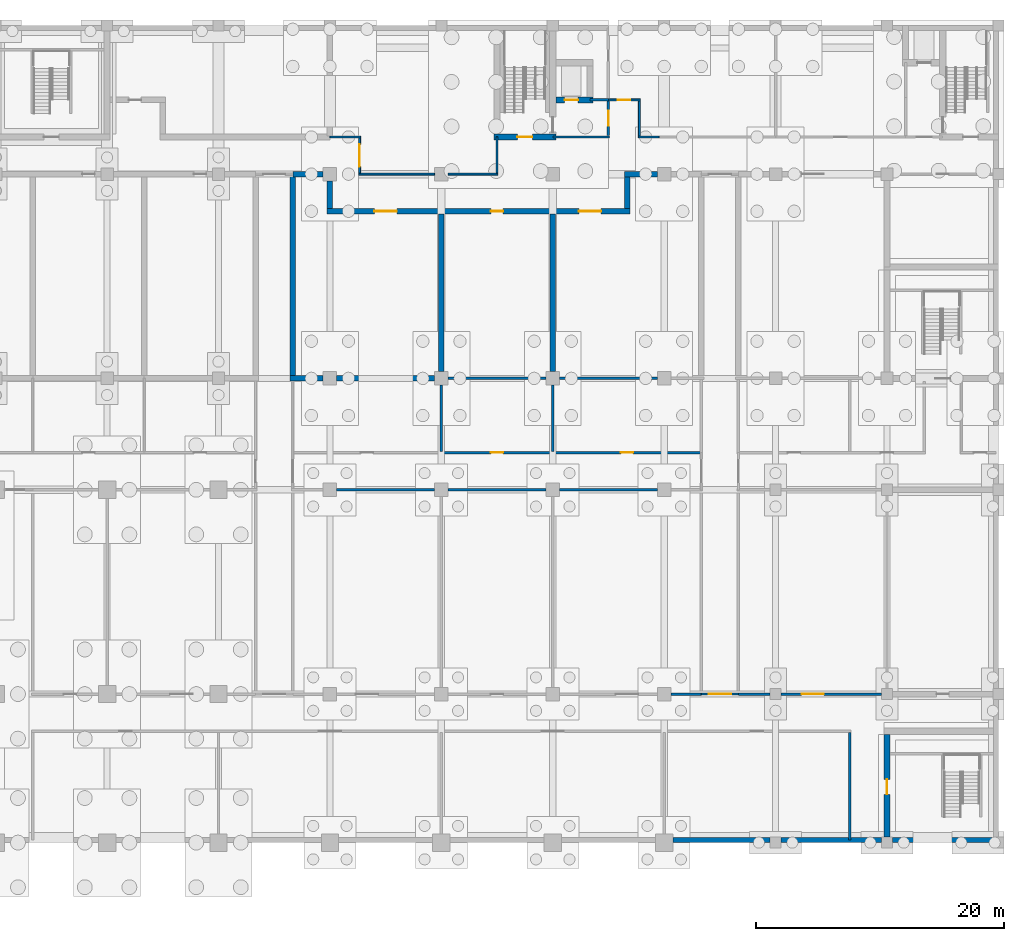
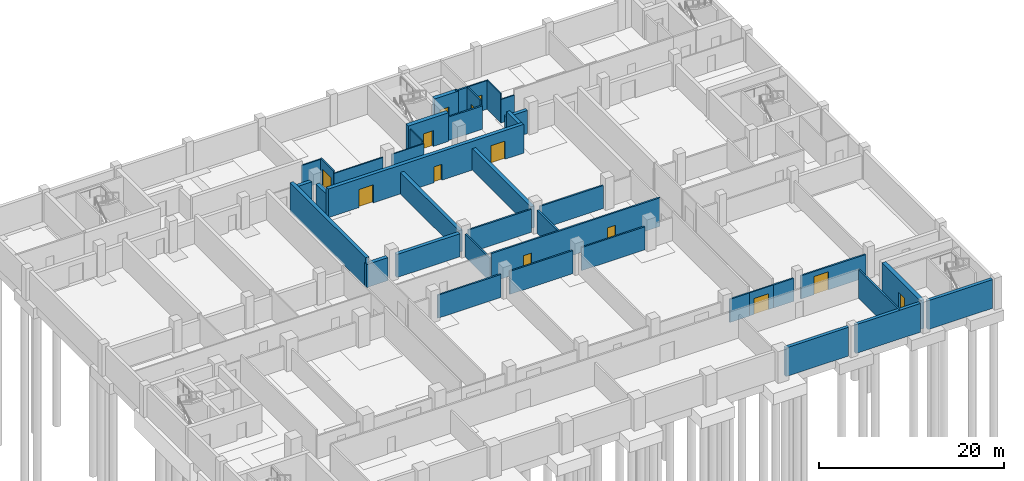
# One storey, part 7 of 15: 40 walls, 13 doors, 13 openings.
"""IFC4 building model written with IfcOpenShell, lengths in metres."""

from ifc_helpers import new_model, si_unit, direction, frame, frame_2d, origin, place, context, subcontext, project, spatial, rectangle, extrude, material, layer, layer_set, type_object, element, fill, save


model = new_model("IFC4")

# Units and contexts
model_context = context("Model", 3, precision=1e-05, world=origin(), true_north=direction((0.0, 1.0)))
body_context = subcontext(model_context, "Body", "Model", "MODEL_VIEW")
ifc_project = project(units=[si_unit("LENGTHUNIT", "METRE"), si_unit("AREAUNIT", "SQUARE_METRE"), si_unit("VOLUMEUNIT", "CUBIC_METRE"), si_unit("PLANEANGLEUNIT", "RADIAN"), si_unit("MASSUNIT", "GRAM", prefix="KILO")], contexts=[model_context])

# Site, building, storey
site_placement = place(None, origin())
site = spatial("IfcSite", under=ifc_project, at=site_placement, CompositionType="ELEMENT")
building_placement = place(site_placement, origin())
building = spatial("IfcBuilding", under=site, at=building_placement, Name="Aurelan Courthouse", CompositionType="ELEMENT")
storey_placement = place(building_placement, frame((0.0, 0.0, -8.39990234375)))
storey = spatial("IfcBuildingStorey", under=building, at=storey_placement, Name="B2", CompositionType="ELEMENT", Elevation=-8.39990234375)

# Walls
ifc_material_1 = material(Name="Reinforced concrete block", Category="concrete")
ifc_layer_1 = layer(ifc_material_1, 0.449951171875)
ifc_layer_set_1 = layer_set([ifc_layer_1], Name="Reinforced concrete block")
wall_type_1 = type_object("IfcWallType", Name="Archive fire wall 450 EI 60", PredefinedType="PARTITIONING", material=ifc_layer_set_1)
wall_1_placement = place(storey_placement, frame((32.77490234375, 37.5, 0.0), z_axis=(0.0, 0.0, 1.0), x_axis=(1.0, 0.0, 0.0)))
element("IfcWall", 1, at=wall_1_placement, inside=storey, type_object=wall_type_1, Name="Archive fire wall B2-039", PredefinedType="PARTITIONING", context=body_context, shape_type="SweptSolid", body=[
    extrude(rectangle(XDim=2.675048828125, YDim=0.449951171875, at=frame_2d((1.33740234375, 0.0))), origin(), (0.0, 0.0, 1.0), 3.0498046875),
])
wall_2_placement = place(storey_placement, frame((36.550048828125, 37.5, 0.0), z_axis=(0.0, 0.0, 1.0), x_axis=(1.0, 0.0, 0.0)))
element("IfcWall", 2, at=wall_2_placement, inside=storey, type_object=wall_type_1, Name="Archive fire wall B2-040", PredefinedType="PARTITIONING", context=body_context, shape_type="SweptSolid", body=[
    extrude(rectangle(XDim=7.89990234375, YDim=0.449951171875, at=frame_2d((3.949951171875, 0.0))), origin(), (0.0, 0.0, 1.0), 3.0498046875),
])

# Wall, openings, doors
wall_3_placement = place(storey_placement, frame((35.77490234375, 51.0, 0.0), z_axis=(0.0, 0.0, 1.0), x_axis=(1.0, 0.0, 0.0)))
wall_3 = element("IfcWall", 3, at=wall_3_placement, inside=storey, type_object=wall_type_1, Name="Archive fire wall B2-046", PredefinedType="PARTITIONING", context=body_context, shape_type="SweptSolid", body=[
    extrude(rectangle(XDim=24.4501953125, YDim=0.449951171875, at=frame_2d((12.22509765625, 0.0))), origin(), (0.0, 0.0, 1.0), 3.7998046875),
])
opening_1_placement = place(wall_3_placement, frame((5.625, 0.0, 0.0), z_axis=(0.0, 0.0, 1.0), x_axis=(-1.0, 0.0, 0.0)))
opening_1 = element("IfcOpeningElement", 4, at=opening_1_placement, cuts=wall_3, Name="Opening D-B2-031", PredefinedType="OPENING", context=body_context, shape_type="SweptSolid", body=[
    extrude(rectangle(XDim=1.800048828125, YDim=2.39990234375, at=frame_2d((0.89990234375, 1.199951171875))), frame((0.0, 0.23486328125, 0.0), z_axis=(0.0, -1.0, 0.0), x_axis=(1.0, 0.0, 0.0)), (0.0, 0.0, 1.0), 0.469970703125),
])
opening_2_placement = place(wall_3_placement, frame((14.22509765625, 0.0, 0.0), z_axis=(0.0, 0.0, 1.0), x_axis=(-1.0, 0.0, 0.0)))
opening_2 = element("IfcOpeningElement", 5, at=opening_2_placement, cuts=wall_3, Name="Opening D-B2-032", PredefinedType="OPENING", context=body_context, shape_type="SweptSolid", body=[
    extrude(rectangle(XDim=1.0, YDim=2.10009765625, at=frame_2d((0.5, 1.050048828125))), frame((0.0, 0.23486328125, 0.0), z_axis=(0.0, -1.0, 0.0), x_axis=(1.0, 0.0, 0.0)), (0.0, 0.0, 1.0), 0.469970703125),
])
opening_3_placement = place(wall_3_placement, frame((22.125, 0.0, 0.0), z_axis=(0.0, 0.0, 1.0), x_axis=(-1.0, 0.0, 0.0)))
opening_3 = element("IfcOpeningElement", 6, at=opening_3_placement, cuts=wall_3, Name="Opening D-B2-033", PredefinedType="OPENING", context=body_context, shape_type="SweptSolid", body=[
    extrude(rectangle(XDim=1.800048828125, YDim=2.39990234375, at=frame_2d((0.89990234375, 1.199951171875))), frame((0.0, 0.23486328125, 0.0), z_axis=(0.0, -1.0, 0.0), x_axis=(1.0, 0.0, 0.0)), (0.0, 0.0, 1.0), 0.469970703125),
])
ifc_material_2 = material(Name="Steel", Category="steel")
door_type_1 = type_object("IfcDoorType", Name="Double door 1800 x 2400 FD60", OperationType="DOUBLE_DOOR_SINGLE_SWING", PredefinedType="DOOR", material=ifc_material_2)
door_1_placement = place(opening_1_placement, origin())
door_1 = element("IfcDoor", 7, at=door_1_placement, inside=storey, type_object=door_type_1, Name="Double door D-B2-031", OperationType="DOUBLE_DOOR_SINGLE_SWING", OverallHeight=2.39990234375, OverallWidth=1.800048828125, PredefinedType="DOOR", context=body_context, shape_type="SweptSolid", body=[
    extrude(rectangle(XDim=1.800048828125, YDim=2.39990234375, at=frame_2d((0.89990234375, 1.199951171875))), frame((0.0, 0.02490234375, 0.0), z_axis=(0.0, -1.0, 0.0), x_axis=(1.0, 0.0, 0.0)), (0.0, 0.0, 1.0), 0.050048828125),
])
fill(opening_1, door_1)
door_2_placement = place(opening_3_placement, origin())
door_2 = element("IfcDoor", 8, at=door_2_placement, inside=storey, type_object=door_type_1, Name="Double door D-B2-033", OperationType="DOUBLE_DOOR_SINGLE_SWING", OverallHeight=2.39990234375, OverallWidth=1.800048828125, PredefinedType="DOOR", context=body_context, shape_type="SweptSolid", body=[
    extrude(rectangle(XDim=1.800048828125, YDim=2.39990234375, at=frame_2d((0.89990234375, 1.199951171875))), frame((0.0, 0.02490234375, 0.0), z_axis=(0.0, -1.0, 0.0), x_axis=(1.0, 0.0, 0.0)), (0.0, 0.0, 1.0), 0.050048828125),
])
fill(opening_3, door_2)
door_type_2 = type_object("IfcDoorType", Name="Single door 1000 x 2100 FD60", OperationType="SINGLE_SWING_LEFT", PredefinedType="DOOR", material=ifc_material_2)
door_3_placement = place(opening_2_placement, origin())
door_3 = element("IfcDoor", 9, at=door_3_placement, inside=storey, type_object=door_type_2, Name="Single door D-B2-032", OperationType="SINGLE_SWING_RIGHT", OverallHeight=2.10009765625, OverallWidth=1.0, PredefinedType="DOOR", context=body_context, shape_type="SweptSolid", body=[
    extrude(rectangle(XDim=1.0, YDim=2.10009765625, at=frame_2d((0.5, 1.050048828125))), frame((0.0, 0.02490234375, 0.0), z_axis=(0.0, -1.0, 0.0), x_axis=(1.0, 0.0, 0.0)), (0.0, 0.0, 1.0), 0.050048828125),
])
fill(opening_2, door_3)

# Walls
wall_4_placement = place(storey_placement, frame((33.0, 54.0, 0.0), z_axis=(0.0, 0.0, 1.0), x_axis=(1.0, 0.0, 0.0)))
element("IfcWall", 10, at=wall_4_placement, inside=storey, type_object=wall_type_1, Name="Archive fire wall B2-052", PredefinedType="PARTITIONING", context=body_context, shape_type="SweptSolid", body=[
    extrude(rectangle(XDim=2.449951171875, YDim=0.449951171875, at=frame_2d((1.22509765625, 0.0))), origin(), (0.0, 0.0, 1.0), 3.0498046875),
])
wall_5_placement = place(storey_placement, frame((59.77490234375, 54.0, 0.0), z_axis=(0.0, 0.0, 1.0), x_axis=(1.0, 0.0, 0.0)))
element("IfcWall", 11, at=wall_5_placement, inside=storey, type_object=wall_type_1, Name="Archive fire wall B2-055", PredefinedType="PARTITIONING", context=body_context, shape_type="SweptSolid", body=[
    extrude(rectangle(XDim=2.675048828125, YDim=0.449951171875, at=frame_2d((1.33740234375, 0.0))), origin(), (0.0, 0.0, 1.0), 3.0498046875),
])
wall_6_placement = place(storey_placement, frame((33.0, 37.5, 0.0), z_axis=(0.0, 0.0, 1.0), x_axis=(0.0, 1.0, 0.0)))
element("IfcWall", 12, at=wall_6_placement, inside=storey, type_object=wall_type_1, Name="Archive fire wall B2-085", PredefinedType="PARTITIONING", context=body_context, shape_type="SweptSolid", body=[
    extrude(rectangle(XDim=16.425048828125, YDim=0.449951171875, at=frame_2d((8.21240234375, 0.0))), origin(), (0.0, 0.0, 1.0), 3.7998046875),
])
wall_7_placement = place(storey_placement, frame((36.0, 51.22509765625, 0.0), z_axis=(0.0, 0.0, 1.0), x_axis=(0.0, 1.0, 0.0)))
element("IfcWall", 13, at=wall_7_placement, inside=storey, type_object=wall_type_1, Name="Archive fire wall B2-086", PredefinedType="PARTITIONING", context=body_context, shape_type="SweptSolid", body=[
    extrude(rectangle(XDim=2.224853515625, YDim=0.449951171875, at=frame_2d((1.1123046875, 0.0))), origin(), (0.0, 0.0, 1.0), 2.849853515625),
])
for number, where, z_axis, x_axis, name in (
    (14, (45.0, 38.050048828125, 0.0), (0.0, 0.0, 1.0), (0.0, 1.0, 0.0), "Archive fire wall B2-092"),
    (15, (54.0, 38.050048828125, 0.0), (0.0, 0.0, 1.0), (0.0, 1.0, 0.0), "Archive fire wall B2-096"),
):
    element("IfcWall", number, at=place(storey_placement, frame(where, z_axis=z_axis, x_axis=x_axis)), inside=storey, type_object=wall_type_1, Name=name, PredefinedType="PARTITIONING", context=body_context, shape_type="SweptSolid", body=[
        extrude(rectangle(XDim=12.724853515625, YDim=0.449951171875, at=frame_2d((6.3623046875, 0.0))), origin(), (0.0, 0.0, 1.0), 2.849853515625),
    ])
wall_8_placement = place(storey_placement, frame((60.0, 51.22509765625, 0.0), z_axis=(0.0, 0.0, 1.0), x_axis=(0.0, 1.0, 0.0)))
element("IfcWall", 16, at=wall_8_placement, inside=storey, type_object=wall_type_1, Name="Archive fire wall B2-099", PredefinedType="PARTITIONING", context=body_context, shape_type="SweptSolid", body=[
    extrude(rectangle(XDim=2.5498046875, YDim=0.449951171875, at=frame_2d((1.27490234375, 0.0))), origin(), (0.0, 0.0, 1.0), 3.7998046875),
])

# Wall, opening, door
ifc_material_3 = material(Name="Gypsum board on metal studs")
ifc_layer_2 = layer(ifc_material_3, 0.14990234375)
ifc_layer_set_2 = layer_set([ifc_layer_2], Name="Gypsum board on metal studs")
wall_type_2 = type_object("IfcWallType", Name="Corridor partition 150 EI 60", PredefinedType="PARTITIONING", material=ifc_layer_set_2)
wall_9_placement = place(storey_placement, frame((66.0, 12.0, 0.0), z_axis=(0.0, 0.0, 1.0), x_axis=(1.0, 0.0, 0.0)))
wall_9 = element("IfcWall", 17, at=wall_9_placement, inside=storey, type_object=wall_type_2, Name="Corridor partition B2-011", PredefinedType="PARTITIONING", context=body_context, shape_type="SweptSolid", body=[
    extrude(rectangle(XDim=3.0, YDim=0.14990234375, at=frame_2d((1.5, 0.0))), origin(), (0.0, 0.0, 1.0), 3.0498046875),
])
opening_4_placement = place(wall_9_placement, frame((0.60009765625, 0.0, 0.0)))
opening_4 = element("IfcOpeningElement", 18, at=opening_4_placement, cuts=wall_9, Name="Opening D-B2-003", PredefinedType="OPENING", context=body_context, shape_type="SweptSolid", body=[
    extrude(rectangle(XDim=1.800048828125, YDim=2.10009765625, at=frame_2d((0.89990234375, 1.050048828125))), frame((0.0, 0.0849609375, 0.0), z_axis=(0.0, -1.0, 0.0), x_axis=(1.0, 0.0, 0.0)), (0.0, 0.0, 1.0), 0.169921875),
])
door_type_3 = type_object("IfcDoorType", Name="Double door 1800 x 2100 FD60", OperationType="DOUBLE_DOOR_SINGLE_SWING", PredefinedType="DOOR", material=ifc_material_2)
door_4_placement = place(opening_4_placement, origin())
door_4 = element("IfcDoor", 19, at=door_4_placement, inside=storey, type_object=door_type_3, Name="Double door D-B2-003", OperationType="DOUBLE_DOOR_SINGLE_SWING", OverallHeight=2.10009765625, OverallWidth=1.800048828125, PredefinedType="DOOR", context=body_context, shape_type="SweptSolid", body=[
    extrude(rectangle(XDim=1.800048828125, YDim=2.10009765625, at=frame_2d((0.89990234375, 1.050048828125))), frame((0.0, 0.02490234375, 0.0), z_axis=(0.0, -1.0, 0.0), x_axis=(1.0, 0.0, 0.0)), (0.0, 0.0, 1.0), 0.050048828125),
])
fill(opening_4, door_4)

# Walls
wall_10_placement = place(storey_placement, frame((38.324951171875, 54.0, 0.0), z_axis=(0.0, 0.0, 1.0), x_axis=(1.0, 0.0, 0.0)))
element("IfcWall", 20, at=wall_10_placement, inside=storey, type_object=wall_type_2, Name="Corridor partition B2-053", PredefinedType="PARTITIONING", context=body_context, shape_type="SweptSolid", body=[
    extrude(rectangle(XDim=6.125, YDim=0.14990234375, at=frame_2d((3.0625, 0.0))), origin(), (0.0, 0.0, 1.0), 3.0498046875),
])
wall_11_placement = place(storey_placement, frame((45.550048828125, 54.0, 0.0), z_axis=(0.0, 0.0, 1.0), x_axis=(1.0, 0.0, 0.0)))
element("IfcWall", 21, at=wall_11_placement, inside=storey, type_object=wall_type_2, Name="Corridor partition B2-054", PredefinedType="PARTITIONING", context=body_context, shape_type="SweptSolid", body=[
    extrude(rectangle(XDim=4.02490234375, YDim=0.14990234375, at=frame_2d((2.012451171875, 0.0))), origin(), (0.0, 0.0, 1.0), 3.0498046875),
])
wall_12_placement = place(storey_placement, frame((36.0, 57.0, 0.0), z_axis=(0.0, 0.0, 1.0), x_axis=(1.0, 0.0, 0.0)))
element("IfcWall", 22, at=wall_12_placement, inside=storey, type_object=wall_type_2, Name="Corridor partition B2-063", PredefinedType="PARTITIONING", context=body_context, shape_type="SweptSolid", body=[
    extrude(rectangle(XDim=2.47509765625, YDim=0.14990234375, at=frame_2d((1.237548828125, 0.0))), origin(), (0.0, 0.0, 1.0), 3.099853515625),
])
wall_13_placement = place(storey_placement, frame((60.925048828125, 57.0, 0.0), z_axis=(0.0, 0.0, 1.0), x_axis=(1.0, 0.0, 0.0)))
element("IfcWall", 23, at=wall_13_placement, inside=storey, type_object=wall_type_2, Name="Corridor partition B2-065", PredefinedType="PARTITIONING", context=body_context, shape_type="SweptSolid", body=[
    extrude(rectangle(XDim=1.675048828125, YDim=0.14990234375, at=frame_2d((0.83740234375, 0.0))), origin(), (0.0, 0.0, 1.0), 3.099853515625),
])

# Wall, opening, door
wall_14_placement = place(storey_placement, frame((58.5, 60.0, 0.0), z_axis=(0.0, 0.0, 1.0), x_axis=(1.0, 0.0, 0.0)))
wall_14 = element("IfcWall", 24, at=wall_14_placement, inside=storey, type_object=wall_type_2, Name="Corridor partition B2-070", PredefinedType="PARTITIONING", context=body_context, shape_type="SweptSolid", body=[
    extrude(rectangle(XDim=2.574951171875, YDim=0.14990234375, at=frame_2d((1.28759765625, 0.0))), origin(), (0.0, 0.0, 1.0), 3.7998046875),
])
opening_5_placement = place(wall_14_placement, frame((0.75, 0.0, 0.0)))
opening_5 = element("IfcOpeningElement", 25, at=opening_5_placement, cuts=wall_14, Name="Opening D-B2-026", PredefinedType="OPENING", context=body_context, shape_type="SweptSolid", body=[
    extrude(rectangle(XDim=1.0, YDim=2.10009765625, at=frame_2d((0.5, 1.050048828125))), frame((0.0, 0.0849609375, 0.0), z_axis=(0.0, -1.0, 0.0), x_axis=(1.0, 0.0, 0.0)), (0.0, 0.0, 1.0), 0.169921875),
])
door_5_placement = place(opening_5_placement, origin())
door_5 = element("IfcDoor", 26, at=door_5_placement, inside=storey, type_object=door_type_2, Name="Single door D-B2-026", OperationType="SINGLE_SWING_LEFT", OverallHeight=2.10009765625, OverallWidth=1.0, PredefinedType="DOOR", context=body_context, shape_type="SweptSolid", body=[
    extrude(rectangle(XDim=1.0, YDim=2.10009765625, at=frame_2d((0.5, 1.050048828125))), frame((0.0, 0.02490234375, 0.0), z_axis=(0.0, -1.0, 0.0), x_axis=(1.0, 0.0, 0.0)), (0.0, 0.0, 1.0), 0.050048828125),
])
fill(opening_5, door_5)

wall_15_placement = place(storey_placement, frame((38.39990234375, 54.074951171875, 0.0), z_axis=(0.0, 0.0, 1.0), x_axis=(0.0, 1.0, 0.0)))
wall_15 = element("IfcWall", 27, at=wall_15_placement, inside=storey, type_object=wall_type_2, Name="Corridor partition B2-088", PredefinedType="PARTITIONING", context=body_context, shape_type="SweptSolid", body=[
    extrude(rectangle(XDim=2.85009765625, YDim=0.14990234375, at=frame_2d((1.425048828125, 0.0))), origin(), (0.0, 0.0, 1.0), 3.2998046875),
])
opening_6_placement = place(wall_15_placement, frame((2.324951171875, 0.0, 0.0), z_axis=(0.0, 0.0, 1.0), x_axis=(-1.0, 0.0, 0.0)))
opening_6 = element("IfcOpeningElement", 28, at=opening_6_placement, cuts=wall_15, Name="Opening D-B2-025", PredefinedType="OPENING", context=body_context, shape_type="SweptSolid", body=[
    extrude(rectangle(XDim=1.800048828125, YDim=2.10009765625, at=frame_2d((0.89990234375, 1.050048828125))), frame((0.0, 0.0849609375, 0.0), z_axis=(0.0, -1.0, 0.0), x_axis=(1.0, 0.0, 0.0)), (0.0, 0.0, 1.0), 0.169921875),
])
door_6_placement = place(opening_6_placement, origin())
door_6 = element("IfcDoor", 29, at=door_6_placement, inside=storey, type_object=door_type_3, Name="Double door D-B2-025", OperationType="DOUBLE_DOOR_SINGLE_SWING", OverallHeight=2.10009765625, OverallWidth=1.800048828125, PredefinedType="DOOR", context=body_context, shape_type="SweptSolid", body=[
    extrude(rectangle(XDim=1.800048828125, YDim=2.10009765625, at=frame_2d((0.89990234375, 1.050048828125))), frame((0.0, 0.02490234375, 0.0), z_axis=(0.0, -1.0, 0.0), x_axis=(1.0, 0.0, 0.0)), (0.0, 0.0, 1.0), 0.050048828125),
])
fill(opening_6, door_6)

# Walls
wall_16_placement = place(storey_placement, frame((49.5, 54.074951171875, 0.0), z_axis=(0.0, 0.0, 1.0), x_axis=(0.0, 1.0, 0.0)))
element("IfcWall", 30, at=wall_16_placement, inside=storey, type_object=wall_type_2, Name="Corridor partition B2-093", PredefinedType="PARTITIONING", context=body_context, shape_type="SweptSolid", body=[
    extrude(rectangle(XDim=2.925048828125, YDim=0.14990234375, at=frame_2d((1.46240234375, 0.0))), origin(), (0.0, 0.0, 1.0), 3.2998046875),
])
wall_17_placement = place(storey_placement, frame((61.0, 57.074951171875, 0.0), z_axis=(0.0, 0.0, 1.0), x_axis=(0.0, 1.0, 0.0)))
element("IfcWall", 31, at=wall_17_placement, inside=storey, type_object=wall_type_2, Name="Corridor partition B2-100", PredefinedType="PARTITIONING", context=body_context, shape_type="SweptSolid", body=[
    extrude(rectangle(XDim=2.85009765625, YDim=0.14990234375, at=frame_2d((1.425048828125, 0.0))), origin(), (0.0, 0.0, 1.0), 3.7998046875),
])
ifc_material_4 = material(Name="Masonry block", Category="masonry")
ifc_layer_3 = layer(ifc_material_4, 0.199951171875)
ifc_layer_set_3 = layer_set([ifc_layer_3], Name="Masonry block")
wall_type_3 = type_object("IfcWallType", Name="Lift lobby wall 200 EI 60", PredefinedType="PARTITIONING", material=ifc_layer_set_3)
wall_18_placement = place(storey_placement, frame((54.0, 57.0, 0.0), z_axis=(0.0, 0.0, 1.0), x_axis=(1.0, 0.0, 0.0)))
element("IfcWall", 32, at=wall_18_placement, inside=storey, type_object=wall_type_3, Name="Lift lobby wall B2-064", PredefinedType="PARTITIONING", context=body_context, shape_type="SweptSolid", body=[
    extrude(rectangle(XDim=4.60009765625, YDim=0.199951171875, at=frame_2d((2.300048828125, 0.0))), origin(), (0.0, 0.0, 1.0), 3.099853515625),
])

# Wall, opening, door
wall_19_placement = place(storey_placement, frame((58.5, 57.10009765625, 0.0), z_axis=(0.0, 0.0, 1.0), x_axis=(0.0, 1.0, 0.0)))
wall_19 = element("IfcWall", 33, at=wall_19_placement, inside=storey, type_object=wall_type_3, Name="Lift lobby wall B2-097", PredefinedType="PARTITIONING", context=body_context, shape_type="SweptSolid", body=[
    extrude(rectangle(XDim=2.89990234375, YDim=0.199951171875, at=frame_2d((1.449951171875, 0.0))), origin(), (0.0, 0.0, 1.0), 3.7998046875),
])
opening_7_placement = place(wall_19_placement, frame((2.0, 0.0, 0.0), z_axis=(0.0, 0.0, 1.0), x_axis=(-1.0, 0.0, 0.0)))
opening_7 = element("IfcOpeningElement", 34, at=opening_7_placement, cuts=wall_19, Name="Opening D-B2-055", PredefinedType="OPENING", context=body_context, shape_type="SweptSolid", body=[
    extrude(rectangle(XDim=1.199951171875, YDim=2.10009765625, at=frame_2d((0.60009765625, 1.050048828125))), frame((0.0, 0.10986328125, 0.0), z_axis=(0.0, -1.0, 0.0), x_axis=(1.0, 0.0, 0.0)), (0.0, 0.0, 1.0), 0.219970703125),
])
door_type_4 = type_object("IfcDoorType", Name="Single door 1200 x 2100 FD60", OperationType="SINGLE_SWING_LEFT", PredefinedType="DOOR", material=ifc_material_2)
door_7_placement = place(opening_7_placement, origin())
door_7 = element("IfcDoor", 35, at=door_7_placement, inside=storey, type_object=door_type_4, Name="Single door D-B2-055", OperationType="SINGLE_SWING_LEFT", OverallHeight=2.10009765625, OverallWidth=1.199951171875, PredefinedType="DOOR", context=body_context, shape_type="SweptSolid", body=[
    extrude(rectangle(XDim=1.199951171875, YDim=2.10009765625, at=frame_2d((0.60009765625, 1.050048828125))), frame((0.0, 0.02490234375, 0.0), z_axis=(0.0, -1.0, 0.0), x_axis=(1.0, 0.0, 0.0)), (0.0, 0.0, 1.0), 0.050048828125),
])
fill(opening_7, door_7)

# Walls
ifc_layer_4 = layer(ifc_material_4, 0.199951171875)
ifc_layer_set_4 = layer_set([ifc_layer_4], Name="Masonry block")
wall_type_4 = type_object("IfcWallType", Name="Plant room wall 200 EI 120", PredefinedType="PARTITIONING", material=ifc_layer_set_4)
wall_20_placement = place(storey_placement, frame((63.550048828125, 12.0, 0.0), z_axis=(0.0, 0.0, 1.0), x_axis=(1.0, 0.0, 0.0)))
element("IfcWall", 36, at=wall_20_placement, inside=storey, type_object=wall_type_4, Name="Plant room wall B2-010", PredefinedType="PARTITIONING", context=body_context, shape_type="SweptSolid", body=[
    extrude(rectangle(XDim=2.449951171875, YDim=0.199951171875, at=frame_2d((1.22509765625, 0.0))), origin(), (0.0, 0.0, 1.0), 3.0498046875),
])
wall_21_placement = place(storey_placement, frame((69.0, 12.0, 0.0), z_axis=(0.0, 0.0, 1.0), x_axis=(1.0, 0.0, 0.0)))
element("IfcWall", 37, at=wall_21_placement, inside=storey, type_object=wall_type_4, Name="Plant room wall B2-012", PredefinedType="PARTITIONING", context=body_context, shape_type="SweptSolid", body=[
    extrude(rectangle(XDim=2.550048828125, YDim=0.199951171875, at=frame_2d((1.27490234375, 0.0))), origin(), (0.0, 0.0, 1.0), 3.0498046875),
])

# Wall, opening, door
wall_22_placement = place(storey_placement, frame((72.449951171875, 12.0, 0.0), z_axis=(0.0, 0.0, 1.0), x_axis=(1.0, 0.0, 0.0)))
wall_22 = element("IfcWall", 38, at=wall_22_placement, inside=storey, type_object=wall_type_4, Name="Plant room wall B2-013", PredefinedType="PARTITIONING", context=body_context, shape_type="SweptSolid", body=[
    extrude(rectangle(XDim=8.10009765625, YDim=0.199951171875, at=frame_2d((4.050048828125, 0.0))), origin(), (0.0, 0.0, 1.0), 3.0498046875),
])
opening_8_placement = place(wall_22_placement, frame((1.64990234375, 0.0, 0.0)))
opening_8 = element("IfcOpeningElement", 39, at=opening_8_placement, cuts=wall_22, Name="Opening D-B2-010", PredefinedType="OPENING", context=body_context, shape_type="SweptSolid", body=[
    extrude(rectangle(XDim=1.800048828125, YDim=2.39990234375, at=frame_2d((0.89990234375, 1.199951171875))), frame((0.0, 0.10986328125, 0.0), z_axis=(0.0, -1.0, 0.0), x_axis=(1.0, 0.0, 0.0)), (0.0, 0.0, 1.0), 0.219970703125),
])
door_type_5 = type_object("IfcDoorType", Name="Double door 1800 x 2400 FD90", OperationType="DOUBLE_DOOR_SINGLE_SWING", PredefinedType="DOOR", material=ifc_material_2)
door_8_placement = place(opening_8_placement, origin())
door_8 = element("IfcDoor", 40, at=door_8_placement, inside=storey, type_object=door_type_5, Name="Double door D-B2-010", OperationType="DOUBLE_DOOR_SINGLE_SWING", OverallHeight=2.39990234375, OverallWidth=1.800048828125, PredefinedType="DOOR", context=body_context, shape_type="SweptSolid", body=[
    extrude(rectangle(XDim=1.800048828125, YDim=2.39990234375, at=frame_2d((0.89990234375, 1.199951171875))), frame((0.0, 0.02490234375, 0.0), z_axis=(0.0, -1.0, 0.0), x_axis=(1.0, 0.0, 0.0)), (0.0, 0.0, 1.0), 0.050048828125),
])
fill(opening_8, door_8)

# Walls
for number, where, z_axis, x_axis, name in (
    (41, (36.550048828125, 28.5, 0.0), (0.0, 0.0, 1.0), (1.0, 0.0, 0.0), "Plant room wall B2-021"),
    (42, (45.550048828125, 28.5, 0.0), (0.0, 0.0, 1.0), (1.0, 0.0, 0.0), "Plant room wall B2-022"),
    (43, (54.550048828125, 28.5, 0.0), (0.0, 0.0, 1.0), (1.0, 0.0, 0.0), "Plant room wall B2-023"),
):
    element("IfcWall", number, at=place(storey_placement, frame(where, z_axis=z_axis, x_axis=x_axis)), inside=storey, type_object=wall_type_4, Name=name, PredefinedType="PARTITIONING", context=body_context, shape_type="SweptSolid", body=[
        extrude(rectangle(XDim=7.89990234375, YDim=0.199951171875, at=frame_2d((3.949951171875, 0.0))), origin(), (0.0, 0.0, 1.0), 3.0498046875),
    ])

# Wall, openings, doors
wall_23_placement = place(storey_placement, frame((45.0, 31.5, 0.0), z_axis=(0.0, 0.0, 1.0), x_axis=(1.0, 0.0, 0.0)))
wall_23 = element("IfcWall", 44, at=wall_23_placement, inside=storey, type_object=wall_type_4, Name="Plant room wall B2-030", PredefinedType="PARTITIONING", context=body_context, shape_type="SweptSolid", body=[
    extrude(rectangle(XDim=21.10009765625, YDim=0.199951171875, at=frame_2d((10.550048828125, 0.0))), origin(), (0.0, 0.0, 1.0), 3.7998046875),
])
opening_9_placement = place(wall_23_placement, frame((4.0, 0.0, 0.0)))
opening_9 = element("IfcOpeningElement", 45, at=opening_9_placement, cuts=wall_23, Name="Opening D-B2-019", PredefinedType="OPENING", context=body_context, shape_type="SweptSolid", body=[
    extrude(rectangle(XDim=1.0, YDim=2.10009765625, at=frame_2d((0.5, 1.050048828125))), frame((0.0, 0.10986328125, 0.0), z_axis=(0.0, -1.0, 0.0), x_axis=(1.0, 0.0, 0.0)), (0.0, 0.0, 1.0), 0.219970703125),
])
opening_10_placement = place(wall_23_placement, frame((14.5, 0.0, 0.0)))
opening_10 = element("IfcOpeningElement", 46, at=opening_10_placement, cuts=wall_23, Name="Opening D-B2-020", PredefinedType="OPENING", context=body_context, shape_type="SweptSolid", body=[
    extrude(rectangle(XDim=1.0, YDim=2.10009765625, at=frame_2d((0.5, 1.050048828125))), frame((0.0, 0.10986328125, 0.0), z_axis=(0.0, -1.0, 0.0), x_axis=(1.0, 0.0, 0.0)), (0.0, 0.0, 1.0), 0.219970703125),
])
door_type_6 = type_object("IfcDoorType", Name="Single door 1000 x 2100 FD90", OperationType="SINGLE_SWING_LEFT", PredefinedType="DOOR", material=ifc_material_2)
door_9_placement = place(opening_9_placement, origin())
door_9 = element("IfcDoor", 47, at=door_9_placement, inside=storey, type_object=door_type_6, Name="Single door D-B2-019", OperationType="SINGLE_SWING_RIGHT", OverallHeight=2.10009765625, OverallWidth=1.0, PredefinedType="DOOR", context=body_context, shape_type="SweptSolid", body=[
    extrude(rectangle(XDim=1.0, YDim=2.10009765625, at=frame_2d((0.5, 1.050048828125))), frame((0.0, 0.02490234375, 0.0), z_axis=(0.0, -1.0, 0.0), x_axis=(1.0, 0.0, 0.0)), (0.0, 0.0, 1.0), 0.050048828125),
])
fill(opening_9, door_9)
door_10_placement = place(opening_10_placement, origin())
door_10 = element("IfcDoor", 48, at=door_10_placement, inside=storey, type_object=door_type_6, Name="Single door D-B2-020", OperationType="SINGLE_SWING_LEFT", OverallHeight=2.10009765625, OverallWidth=1.0, PredefinedType="DOOR", context=body_context, shape_type="SweptSolid", body=[
    extrude(rectangle(XDim=1.0, YDim=2.10009765625, at=frame_2d((0.5, 1.050048828125))), frame((0.0, 0.02490234375, 0.0), z_axis=(0.0, -1.0, 0.0), x_axis=(1.0, 0.0, 0.0)), (0.0, 0.0, 1.0), 0.050048828125),
])
fill(opening_10, door_10)

# Walls
for number, where, z_axis, x_axis, name in (
    (49, (45.550048828125, 37.5, 0.0), (0.0, 0.0, 1.0), (1.0, 0.0, 0.0), "Plant room wall B2-041"),
    (50, (54.550048828125, 37.5, 0.0), (0.0, 0.0, 1.0), (1.0, 0.0, 0.0), "Plant room wall B2-042"),
):
    element("IfcWall", number, at=place(storey_placement, frame(where, z_axis=z_axis, x_axis=x_axis)), inside=storey, type_object=wall_type_4, Name=name, PredefinedType="PARTITIONING", context=body_context, shape_type="SweptSolid", body=[
        extrude(rectangle(XDim=7.89990234375, YDim=0.199951171875, at=frame_2d((3.949951171875, 0.0))), origin(), (0.0, 0.0, 1.0), 3.0498046875),
    ])
wall_24_placement = place(storey_placement, frame((45.0, 31.574951171875, 0.0), z_axis=(0.0, 0.0, 1.0), x_axis=(0.0, 1.0, 0.0)))
element("IfcWall", 51, at=wall_24_placement, inside=storey, type_object=wall_type_4, Name="Plant room wall B2-091", PredefinedType="PARTITIONING", context=body_context, shape_type="SweptSolid", body=[
    extrude(rectangle(XDim=5.375, YDim=0.199951171875, at=frame_2d((2.6875, 0.0))), origin(), (0.0, 0.0, 1.0), 3.0498046875),
])
wall_25_placement = place(storey_placement, frame((54.0, 31.60009765625, 0.0), z_axis=(0.0, 0.0, 1.0), x_axis=(0.0, 1.0, 0.0)))
element("IfcWall", 52, at=wall_25_placement, inside=storey, type_object=wall_type_4, Name="Plant room wall B2-095", PredefinedType="PARTITIONING", context=body_context, shape_type="SweptSolid", body=[
    extrude(rectangle(XDim=5.349853515625, YDim=0.199951171875, at=frame_2d((2.6748046875, 0.0))), origin(), (0.0, 0.0, 1.0), 3.0498046875),
])
wall_26_placement = place(storey_placement, frame((78.0, 0.199951171875, 0.0), z_axis=(0.0, 0.0, 1.0), x_axis=(0.0, 1.0, 0.0)))
element("IfcWall", 53, at=wall_26_placement, inside=storey, type_object=wall_type_4, Name="Plant room wall B2-111", PredefinedType="PARTITIONING", context=body_context, shape_type="SweptSolid", body=[
    extrude(rectangle(XDim=8.699951171875, YDim=0.199951171875, at=frame_2d((4.35009765625, 0.0))), origin(), (0.0, 0.0, 1.0), 3.7998046875),
])
ifc_material_5 = material(Name="Concrete C50", Category="concrete")
ifc_layer_5 = layer(ifc_material_5, 0.39990234375)
ifc_layer_set_5 = layer_set([ifc_layer_5], Name="Concrete C50")
wall_type_5 = type_object("IfcWallType", Name="RC retaining wall 400", PredefinedType="SOLIDWALL", material=ifc_layer_set_5)
wall_27_placement = place(storey_placement, frame((63.699951171875, 0.199951171875, 0.0), z_axis=(0.0, 0.0, 1.0), x_axis=(1.0, 0.0, 0.0)))
element("IfcWall", 54, at=wall_27_placement, inside=storey, type_object=wall_type_5, Name="Retaining wall SW-B2-008", PredefinedType="SOLIDWALL", context=body_context, shape_type="SweptSolid", body=[
    extrude(rectangle(XDim=7.85009765625, YDim=0.39990234375, at=frame_2d((3.925048828125, 0.0))), origin(), (0.0, 0.0, 1.0), 3.7998046875),
])
for number, where, z_axis, x_axis, name in (
    (55, (72.449951171875, 0.199951171875, 0.0), (0.0, 0.0, 1.0), (1.0, 0.0, 0.0), "Retaining wall SW-B2-009"),
    (56, (81.449951171875, 0.199951171875, 0.0), (0.0, 0.0, 1.0), (1.0, 0.0, 0.0), "Retaining wall SW-B2-010"),
):
    element("IfcWall", number, at=place(storey_placement, frame(where, z_axis=z_axis, x_axis=x_axis)), inside=storey, type_object=wall_type_5, Name=name, PredefinedType="SOLIDWALL", context=body_context, shape_type="SweptSolid", body=[
        extrude(rectangle(XDim=8.10009765625, YDim=0.39990234375, at=frame_2d((4.050048828125, 0.0))), origin(), (0.0, 0.0, 1.0), 3.7998046875),
    ])

# Wall, opening, door
ifc_layer_6 = layer(ifc_material_5, 0.5)
ifc_layer_set_6 = layer_set([ifc_layer_6], Name="Concrete C50")
wall_type_6 = type_object("IfcWallType", Name="RC shear wall 500", PredefinedType="SHEAR", material=ifc_layer_set_6)
wall_28_placement = place(storey_placement, frame((81.0, 0.449951171875, 0.0), z_axis=(0.0, 0.0, 1.0), x_axis=(0.0, 1.0, 0.0)))
wall_28 = element("IfcWall", 57, at=wall_28_placement, inside=storey, type_object=wall_type_6, Name="Core wall SW-B2-012", PredefinedType="SHEAR", context=body_context, shape_type="SweptSolid", body=[
    extrude(rectangle(XDim=8.300048828125, YDim=0.5, at=frame_2d((4.14990234375, 0.0))), origin(), (0.0, 0.0, 1.0), 3.7998046875),
])
opening_11_placement = place(wall_28_placement, frame((4.64990234375, 0.0, 0.0), z_axis=(0.0, 0.0, 1.0), x_axis=(-1.0, 0.0, 0.0)))
opening_11 = element("IfcOpeningElement", 58, at=opening_11_placement, cuts=wall_28, Name="Opening D-B2-044", PredefinedType="OPENING", context=body_context, shape_type="SweptSolid", body=[
    extrude(rectangle(XDim=1.199951171875, YDim=2.10009765625, at=frame_2d((0.60009765625, 1.050048828125))), frame((0.0, 0.260009765625, 0.0), z_axis=(0.0, -1.0, 0.0), x_axis=(1.0, 0.0, 0.0)), (0.0, 0.0, 1.0), 0.52001953125),
])
door_type_7 = type_object("IfcDoorType", Name="Single door 1200 x 2100 FD90", OperationType="SINGLE_SWING_LEFT", PredefinedType="DOOR", material=ifc_material_2)
door_11_placement = place(opening_11_placement, origin())
door_11 = element("IfcDoor", 59, at=door_11_placement, inside=storey, type_object=door_type_7, Name="Single door D-B2-044", OperationType="SINGLE_SWING_RIGHT", OverallHeight=2.10009765625, OverallWidth=1.199951171875, PredefinedType="DOOR", context=body_context, shape_type="SweptSolid", body=[
    extrude(rectangle(XDim=1.199951171875, YDim=2.10009765625, at=frame_2d((0.60009765625, 1.050048828125))), frame((0.0, 0.02490234375, 0.0), z_axis=(0.0, -1.0, 0.0), x_axis=(1.0, 0.0, 0.0)), (0.0, 0.0, 1.0), 0.050048828125),
])
fill(opening_11, door_11)

wall_29_placement = place(storey_placement, frame((49.25, 57.0, 0.0), z_axis=(0.0, 0.0, 1.0), x_axis=(1.0, 0.0, 0.0)))
wall_29 = element("IfcWall", 60, at=wall_29_placement, inside=storey, type_object=wall_type_6, Name="Core wall SW-B2-036", PredefinedType="SHEAR", context=body_context, shape_type="SweptSolid", body=[
    extrude(rectangle(XDim=5.0, YDim=0.5, at=frame_2d((2.5, 0.0))), origin(), (0.0, 0.0, 1.0), 3.7998046875),
])
opening_12_placement = place(wall_29_placement, frame((1.89990234375, 0.0, 0.0)))
opening_12 = element("IfcOpeningElement", 61, at=opening_12_placement, cuts=wall_29, Name="Opening D-B2-050", PredefinedType="OPENING", context=body_context, shape_type="SweptSolid", body=[
    extrude(rectangle(XDim=1.199951171875, YDim=2.10009765625, at=frame_2d((0.60009765625, 1.050048828125))), frame((0.0, 0.260009765625, 0.0), z_axis=(0.0, -1.0, 0.0), x_axis=(1.0, 0.0, 0.0)), (0.0, 0.0, 1.0), 0.52001953125),
])
door_12_placement = place(opening_12_placement, origin())
door_12 = element("IfcDoor", 62, at=door_12_placement, inside=storey, type_object=door_type_7, Name="Single door D-B2-050", OperationType="SINGLE_SWING_LEFT", OverallHeight=2.10009765625, OverallWidth=1.199951171875, PredefinedType="DOOR", context=body_context, shape_type="SweptSolid", body=[
    extrude(rectangle(XDim=1.199951171875, YDim=2.10009765625, at=frame_2d((0.60009765625, 1.050048828125))), frame((0.0, 0.02490234375, 0.0), z_axis=(0.0, -1.0, 0.0), x_axis=(1.0, 0.0, 0.0)), (0.0, 0.0, 1.0), 0.050048828125),
])
fill(opening_12, door_12)

wall_30_placement = place(storey_placement, frame((54.25, 60.0, 0.0), z_axis=(0.0, 0.0, 1.0), x_axis=(1.0, 0.0, 0.0)))
wall_30 = element("IfcWall", 63, at=wall_30_placement, inside=storey, type_object=wall_type_6, Name="Core wall SW-B2-043", PredefinedType="SHEAR", context=body_context, shape_type="SweptSolid", body=[
    extrude(rectangle(XDim=3.0, YDim=0.5, at=frame_2d((1.5, 0.0))), origin(), (0.0, 0.0, 1.0), 3.7998046875),
])
opening_13_placement = place(wall_30_placement, frame((0.699951171875, 0.0, 0.0)))
opening_13 = element("IfcOpeningElement", 64, at=opening_13_placement, cuts=wall_30, Name="Opening LD-V2-F1-B2", PredefinedType="OPENING", context=body_context, shape_type="SweptSolid", body=[
    extrude(rectangle(XDim=1.10009765625, YDim=2.10009765625, at=frame_2d((0.550048828125, 1.050048828125))), frame((0.0, 0.260009765625, 0.0), z_axis=(0.0, -1.0, 0.0), x_axis=(1.0, 0.0, 0.0)), (0.0, 0.0, 1.0), 0.52001953125),
])
door_type_8 = type_object("IfcDoorType", Name="Lift landing door 1100 x 2100 FD90", OperationType="SLIDING_TO_LEFT", PredefinedType="DOOR", material=ifc_material_2)
door_13_placement = place(opening_13_placement, origin())
door_13 = element("IfcDoor", 65, at=door_13_placement, inside=storey, type_object=door_type_8, Name="Lift landing door LD-V2-F1-B2", OperationType="SLIDING_TO_LEFT", OverallHeight=2.10009765625, OverallWidth=1.10009765625, PredefinedType="DOOR", context=body_context, shape_type="SweptSolid", body=[
    extrude(rectangle(XDim=1.10009765625, YDim=2.10009765625, at=frame_2d((0.550048828125, 1.050048828125))), frame((0.0, 0.02490234375, 0.0), z_axis=(0.0, -1.0, 0.0), x_axis=(1.0, 0.0, 0.0)), (0.0, 0.0, 1.0), 0.050048828125),
])
fill(opening_13, door_13)

# Wall
ifc_material_6 = material(Name="Concrete C30", Category="concrete")
ifc_layer_7 = layer(ifc_material_6, 0.199951171875)
ifc_layer_set_7 = layer_set([ifc_layer_7], Name="Concrete C30")
wall_type_7 = type_object("IfcWallType", Name="Shaft wall 200 EI 120 load-bearing", PredefinedType="SHEAR", material=ifc_layer_set_7)
wall_31_placement = place(storey_placement, frame((57.0, 60.0, 0.0), z_axis=(0.0, 0.0, 1.0), x_axis=(1.0, 0.0, 0.0)))
element("IfcWall", 66, at=wall_31_placement, inside=storey, type_object=wall_type_7, Name="Shaft wall B2-069", PredefinedType="SHEAR", context=body_context, shape_type="SweptSolid", body=[
    extrude(rectangle(XDim=1.5, YDim=0.199951171875, at=frame_2d((0.75, 0.0))), origin(), (0.0, 0.0, 1.0), 3.7998046875),
])

save(model, "model.ifc")
